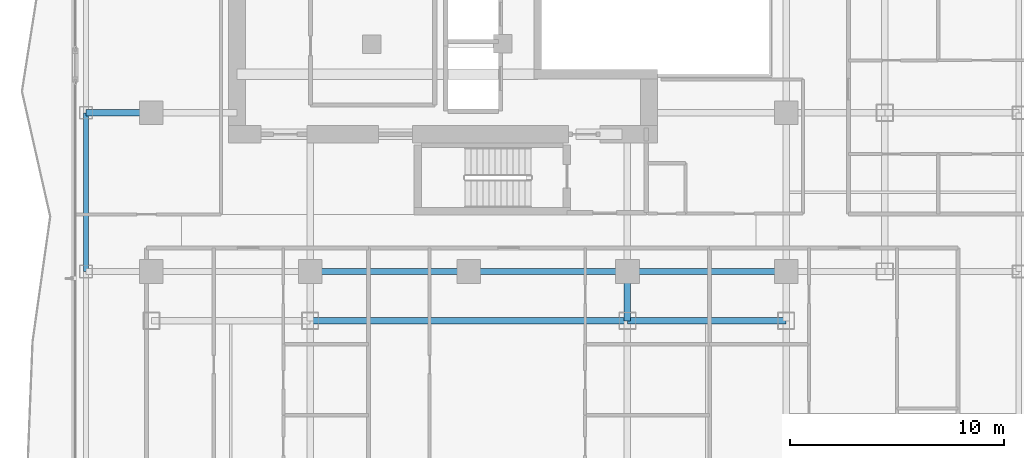
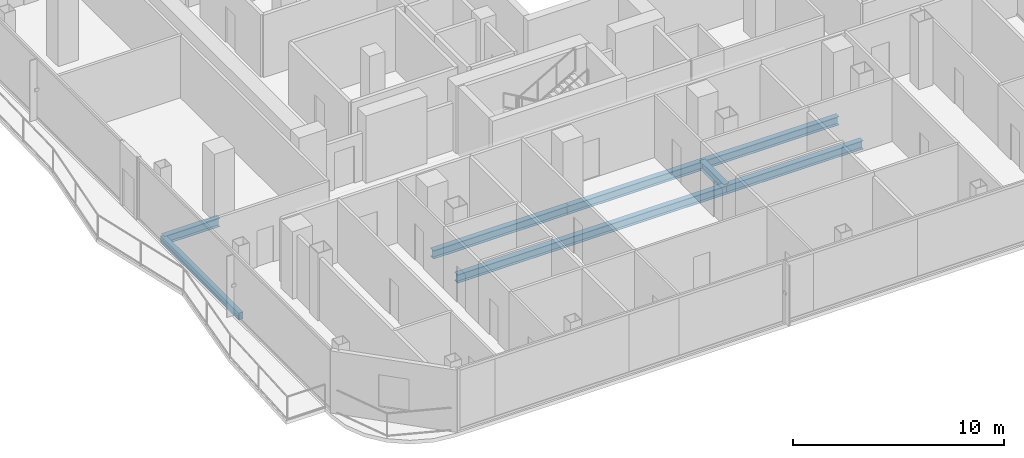
# One storey, part 5 of 27: 8 beams.
"""IFC4 building model written with IfcOpenShell, lengths in metres."""

import ifcopenshell
import ifcopenshell.guid

model = None  # the IFC model being written
_history = None  # IfcOwnerHistory: only IFC2X3 demands one
_inside = {}  # id of a spatial element -> (the spatial element, [elements in it])
_under = {}  # id of a project, library or spatial element -> (it, [spatial elements below it])
_declared = {}  # id of a project -> (the project, [libraries it declares])
_typed = {}  # id of a type object -> (the type object, [elements of that type])
_made_of = {}  # id of a material, layer set ... -> (it, [elements and type objects made of it])


def new_model(schema):
    """Start an empty IFC model of exactly this schema.

    Asked for "IFC4X3", IfcOpenShell would pick the latest addendum, in which some entities
    have other attributes; the version numbers below select the first issue.
    IFC2X3 requires an IfcOwnerHistory on every rooted entity: one is made here for all.
    """
    global model, _history
    if schema == "IFC4X3":
        model = ifcopenshell.file(schema_version=(4, 3, 0, 0))
    else:
        model = ifcopenshell.file(schema=schema)
    _inside.clear()
    _under.clear()
    _declared.clear()
    _typed.clear()
    _made_of.clear()
    _history = None
    if model.schema == "IFC2X3":
        org = make("IfcOrganization", Name="unknown")
        user = make(
            "IfcPersonAndOrganization",
            ThePerson=make("IfcPerson", FamilyName="unknown"),
            TheOrganization=org,
        )
        app = make(
            "IfcApplication",
            ApplicationDeveloper=org,
            Version="unknown",
            ApplicationFullName="unknown",
            ApplicationIdentifier="unknown",
        )
        _history = make(
            "IfcOwnerHistory",
            OwningUser=user,
            OwningApplication=app,
            ChangeAction="ADDED",
            CreationDate=0,
        )
    return model


def make(cls, **values):
    """One entity of the class cls with the attributes given. An attribute that is None is left unset."""
    return model.create_entity(
        cls, **{name: value for name, value in values.items() if value is not None}
    )


def rooted(cls, **values):
    """An entity with a GlobalId (a new one), such as an element, a storey or a relation."""
    return make(cls, GlobalId=ifcopenshell.guid.new(), OwnerHistory=_history, **values)


def si_unit(unit_type, name, prefix=None):
    """IfcSIUnit, for example si_unit("LENGTHUNIT", "METRE", prefix="MILLI")."""
    return make("IfcSIUnit", UnitType=unit_type, Prefix=prefix, Name=name)


def assignment(units):
    """IfcUnitAssignment: the units of a project."""
    return None if units is None else make("IfcUnitAssignment", Units=units)


def point(xyz):
    """IfcCartesianPoint."""
    return None if xyz is None else make("IfcCartesianPoint", Coordinates=xyz)


def direction(xyz):
    """IfcDirection."""
    return None if xyz is None else make("IfcDirection", DirectionRatios=xyz)


def frame(location, z_axis=None, x_axis=None):
    """IfcAxis2Placement3D, a coordinate frame: its origin and axes. An axis left out is left unset."""
    return make(
        "IfcAxis2Placement3D",
        Location=point(location),
        Axis=direction(z_axis),
        RefDirection=direction(x_axis),
    )


def frame_2d(location, x_axis=None):
    """IfcAxis2Placement2D, a coordinate frame in the plane: its origin and x axis."""
    return make(
        "IfcAxis2Placement2D", Location=point(location), RefDirection=direction(x_axis)
    )


def origin():
    """The frame at (0, 0, 0) with its axes left unset."""
    return frame((0.0, 0.0, 0.0))


def origin_2d():
    """The frame at (0, 0) in the plane with its x axis left unset."""
    return frame_2d((0.0, 0.0))


def place(relative_to, where):
    """IfcLocalPlacement: puts the frame where relative to a parent placement (None: the world)."""
    return make(
        "IfcLocalPlacement", PlacementRelTo=relative_to, RelativePlacement=where
    )


def context(
    kind, dimensions, precision=None, world=None, true_north=None, identifier=None
):
    """IfcGeometricRepresentationContext, for example the 3D "Model" context."""
    return make(
        "IfcGeometricRepresentationContext",
        ContextIdentifier=identifier,
        ContextType=kind,
        CoordinateSpaceDimension=dimensions,
        Precision=precision,
        WorldCoordinateSystem=world,
        TrueNorth=true_north,
    )


def subcontext(parent, identifier, kind, view, scale=None):
    """IfcGeometricRepresentationSubContext, for example "Body" below "Model"."""
    return make(
        "IfcGeometricRepresentationSubContext",
        ContextIdentifier=identifier,
        ContextType=kind,
        ParentContext=parent,
        TargetScale=scale,
        TargetView=view,
    )


def project(units=None, contexts=None):
    """IfcProject with its units and contexts."""
    return rooted(
        "IfcProject",
        Name="project",
        RepresentationContexts=contexts,
        UnitsInContext=assignment(units),
    )


def spatial(cls, under=None, at=None, **own):
    """A site, building, storey or space (cls), placed at a placement, below another one or the project."""
    s = rooted(cls, ObjectPlacement=at, **own)
    if under is not None:
        _under.setdefault(under.id(), (under, []))[1].append(s)
    return s


def profile(cls, at=None, kind="AREA", **sizes):
    """A parametric profile (cls). Its sizes go by their IFC names, for example OverallWidth=200.0."""
    return make(cls, ProfileType=kind, Position=at, **sizes)


def hollow_rectangle(**sizes):
    """IfcRectangleHollowProfileDef."""
    return profile("IfcRectangleHollowProfileDef", **sizes)


def i_section(**sizes):
    """IfcIShapeProfileDef."""
    return profile("IfcIShapeProfileDef", **sizes)


def extrude(swept, where, along, depth):
    """IfcExtrudedAreaSolid: the profile swept, set in the frame where, extruded along a direction by depth."""
    return make(
        "IfcExtrudedAreaSolid",
        SweptArea=swept,
        Position=where,
        ExtrudedDirection=direction(along),
        Depth=depth,
    )


def shape(context_of_items, identifier, shape_type, items):
    """IfcShapeRepresentation: the items that make up one representation, for example the "Body"."""
    return make(
        "IfcShapeRepresentation",
        ContextOfItems=context_of_items,
        RepresentationIdentifier=identifier,
        RepresentationType=shape_type,
        Items=items,
    )


def material(Name=None, Category=None):
    """IfcMaterial."""
    return make("IfcMaterial", Name=Name, Category=Category)


def material_profile(
    of_material, cross_section, Name=None, Category=None, Priority=None
):
    """IfcMaterialProfile: a cross section and its material."""
    return make(
        "IfcMaterialProfile",
        Name=Name,
        Material=of_material,
        Profile=cross_section,
        Priority=Priority,
        Category=Category,
    )


def profile_set(profiles, Name=None, composite=None):
    """IfcMaterialProfileSet."""
    return make(
        "IfcMaterialProfileSet",
        Name=Name,
        MaterialProfiles=profiles,
        CompositeProfile=composite,
    )


def made_of(thing, what):
    """Note that an element or type object is made of a material, layer set ...; save() writes the relation."""
    if what is not None:
        _made_of.setdefault(what.id(), (what, []))[1].append(thing)
    return thing


def type_object(cls, material=None, **own):
    """A type object (cls), such as IfcWallType, which elements share."""
    return made_of(rooted(cls, **own), material)


def element(
    cls,
    number,
    at=None,
    inside=None,
    cuts=None,
    type_object=None,
    material=None,
    context=None,
    identifier="Body",
    shape_type=None,
    held_by="IfcProductDefinitionShape",
    body=None,
    shapes=None,
    **own,
):
    """One element of the class cls, such as IfcWall. Its Tag is "e" and its number.

    at: its placement. inside: the storey or other place that contains it. cuts: it is an
    opening in that element (IfcRelVoidsElement). A single representation is given by context,
    identifier, shape_type and body (its items); several are given by shapes. held_by: the class
    of the entity that holds the representations. save() writes the other relations.
    """
    e = rooted(cls, Tag="e%d" % number, ObjectPlacement=at, **own)
    if body is not None:
        shapes = [shape(context, identifier, shape_type, body)]
    if shapes is not None:
        e.Representation = make(held_by, Representations=shapes)
    if inside is not None:
        _inside.setdefault(inside.id(), (inside, []))[1].append(e)
    if cuts is not None:
        rooted(
            "IfcRelVoidsElement", RelatingBuildingElement=cuts, RelatedOpeningElement=e
        )
    if type_object is not None:
        _typed.setdefault(type_object.id(), (type_object, []))[1].append(e)
    return made_of(e, material)


def aggregate(whole, parts):
    """IfcRelAggregates: a whole, such as a stair, and the parts it consists of."""
    return rooted("IfcRelAggregates", RelatingObject=whole, RelatedObjects=parts)


def save(model, path):
    """Write the relations noted so far, then the file.

    IfcRelAggregates (storeys below a building ...), IfcRelContainedInSpatialStructure (elements
    in a storey), IfcRelDefinesByType, IfcRelAssociatesMaterial and IfcRelDeclares: one each for
    every whole, place, type object, material and project.
    """
    for whole, parts in _under.values():
        aggregate(whole, parts)
    for where, things in _inside.values():
        rooted(
            "IfcRelContainedInSpatialStructure",
            RelatedElements=things,
            RelatingStructure=where,
        )
    for kind, things in _typed.values():
        rooted("IfcRelDefinesByType", RelatedObjects=things, RelatingType=kind)
    for what, things in _made_of.values():
        rooted("IfcRelAssociatesMaterial", RelatedObjects=things, RelatingMaterial=what)
    for by, libraries in _declared.values():
        rooted("IfcRelDeclares", RelatingContext=by, RelatedDefinitions=libraries)
    model.write(path)


model = new_model("IFC4")

# Units and contexts
model_context = context("Model", 3, precision=1e-05, world=origin(), true_north=direction((0.0, 1.0)))
body_context = subcontext(model_context, "Body", "Model", "MODEL_VIEW")
ifc_project = project(units=[si_unit("LENGTHUNIT", "METRE"), si_unit("AREAUNIT", "SQUARE_METRE"), si_unit("VOLUMEUNIT", "CUBIC_METRE"), si_unit("PLANEANGLEUNIT", "RADIAN"), si_unit("MASSUNIT", "GRAM", prefix="KILO")], contexts=[model_context])

# Site, building, storey
site_placement = place(None, origin())
site = spatial("IfcSite", under=ifc_project, at=site_placement, CompositionType="ELEMENT")
building_placement = place(site_placement, origin())
building = spatial("IfcBuilding", under=site, at=building_placement, Name="Khorvyn Point Tower", CompositionType="ELEMENT")
storey_placement = place(building_placement, frame((0.0, 0.0, 231.300048828125)))
storey = spatial("IfcBuildingStorey", under=building, at=storey_placement, Name="L57", CompositionType="ELEMENT", Elevation=231.300048828125)

# Beams
ifc_material = material(Name="Steel S355", Category="steel")
ifc_material_profile_1 = material_profile(ifc_material, i_section(OverallWidth=0.300048828125, OverallDepth=0.488037109375, WebThickness=0.010986328125, FlangeThickness=0.01806640625, at=origin_2d()))
ifc_profile_set_1 = profile_set([ifc_material_profile_1], Name="Steel S355 H488x300x11x18")
beam_type_1 = type_object("IfcBeamType", Name="Steel S355 Spandrel H488x300x11x18", PredefinedType="SPANDREL", material=ifc_profile_set_1)
for number, where, z_axis, x_axis, name in (
    (1, (-7.39990234375, -14.800048828125, -0.464111328125), (1.0, 0.0, 0.0), (0.0, 1.0, 0.0), "Beam"),
    (2, (0.0, -14.800048828125, -0.464111328125), (1.0, 0.0, 0.0), (0.0, 1.0, 0.0), "Beam"),
):
    element("IfcBeam", number, at=place(storey_placement, frame(where, z_axis=z_axis, x_axis=x_axis)), inside=storey, type_object=beam_type_1, Name=name, PredefinedType="SPANDREL", context=body_context, shape_type="SweptSolid", body=[
        extrude(i_section(OverallWidth=0.300048828125, OverallDepth=0.488037109375, WebThickness=0.010986328125, FlangeThickness=0.01806640625, at=origin_2d()), origin(), (0.0, 0.0, 1.0), 7.39990234375),
    ])
beam_1_placement = place(storey_placement, frame((7.39990234375, -14.800048828125, -0.464111328125), z_axis=(1.0, 0.0, 0.0), x_axis=(0.0, 1.0, 0.0)))
element("IfcBeam", 3, at=beam_1_placement, inside=storey, type_object=beam_type_1, Name="Beam", PredefinedType="SPANDREL", context=body_context, shape_type="SweptSolid", body=[
    extrude(i_section(OverallWidth=0.300048828125, OverallDepth=0.488037109375, WebThickness=0.010986328125, FlangeThickness=0.01806640625, at=origin_2d()), origin(), (0.0, 0.0, 1.0), 7.400146484375),
])
beam_2_placement = place(storey_placement, frame((-17.85009765625, -7.39990234375, -0.464111328125), z_axis=(1.0, 0.0, 0.0), x_axis=(0.0, 1.0, 0.0)))
element("IfcBeam", 4, at=beam_2_placement, inside=storey, type_object=beam_type_1, Name="Beam", PredefinedType="SPANDREL", context=body_context, shape_type="SweptSolid", body=[
    extrude(i_section(OverallWidth=0.300048828125, OverallDepth=0.488037109375, WebThickness=0.010986328125, FlangeThickness=0.01806640625, at=origin_2d()), origin(), (0.0, 0.0, 1.0), 3.050048828125),
])
beam_3_placement = place(storey_placement, frame((-7.39990234375, -17.10009765625, -0.464111328125), z_axis=(1.0, 0.0, 0.0), x_axis=(0.0, 1.0, 0.0)))
element("IfcBeam", 5, at=beam_3_placement, inside=storey, type_object=beam_type_1, Name="Beam", PredefinedType="SPANDREL", context=body_context, shape_type="SweptSolid", body=[
    extrude(i_section(OverallWidth=0.300048828125, OverallDepth=0.488037109375, WebThickness=0.010986328125, FlangeThickness=0.01806640625, at=origin_2d()), origin(), (0.0, 0.0, 1.0), 14.7998046875),
])
beam_4_placement = place(storey_placement, frame((7.39990234375, -17.10009765625, -0.464111328125), z_axis=(1.0, 0.0, 0.0), x_axis=(0.0, 1.0, 0.0)))
element("IfcBeam", 6, at=beam_4_placement, inside=storey, type_object=beam_type_1, Name="Beam", PredefinedType="SPANDREL", context=body_context, shape_type="SweptSolid", body=[
    extrude(i_section(OverallWidth=0.300048828125, OverallDepth=0.488037109375, WebThickness=0.010986328125, FlangeThickness=0.01806640625, at=origin_2d()), origin(), (0.0, 0.0, 1.0), 7.400146484375),
])
beam_5_placement = place(storey_placement, frame((7.39990234375, -17.10009765625, -0.464111328125), z_axis=(0.0, 1.0, 0.0), x_axis=(-1.0, 0.0, 0.0)))
element("IfcBeam", 7, at=beam_5_placement, inside=storey, type_object=beam_type_1, Name="Beam", PredefinedType="SPANDREL", context=body_context, shape_type="SweptSolid", body=[
    extrude(i_section(OverallWidth=0.300048828125, OverallDepth=0.488037109375, WebThickness=0.010986328125, FlangeThickness=0.01806640625, at=origin_2d()), origin(), (0.0, 0.0, 1.0), 2.300048828125),
])
ifc_material_profile_2 = material_profile(ifc_material, hollow_rectangle(XDim=0.25, YDim=0.39990234375, WallThickness=0.01611328125, at=origin_2d()))
ifc_profile_set_2 = profile_set([ifc_material_profile_2], Name="Steel S355 RHS400x250x16")
beam_type_2 = type_object("IfcBeamType", Name="Steel S355 Spandrel RHS400x250x16", PredefinedType="SPANDREL", material=ifc_profile_set_2)
beam_6_placement = place(storey_placement, frame((-17.85009765625, -14.800048828125, -0.420166015625), z_axis=(0.0, 1.0, 0.0), x_axis=(-1.0, 0.0, 0.0)))
element("IfcBeam", 8, at=beam_6_placement, inside=storey, type_object=beam_type_2, Name="Beam", PredefinedType="SPANDREL", context=body_context, shape_type="SweptSolid", body=[
    extrude(hollow_rectangle(XDim=0.25, YDim=0.39990234375, WallThickness=0.01611328125, at=origin_2d()), origin(), (0.0, 0.0, 1.0), 7.400146484375),
])

save(model, "model.ifc")
